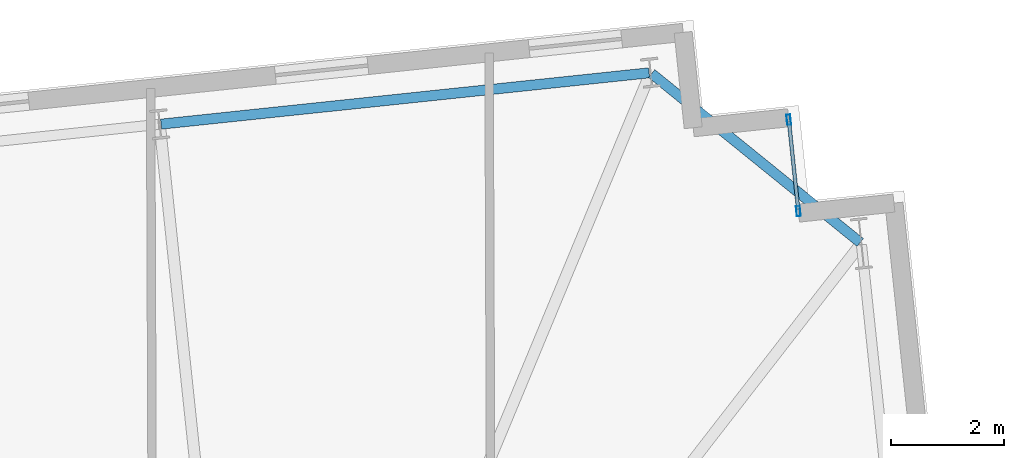
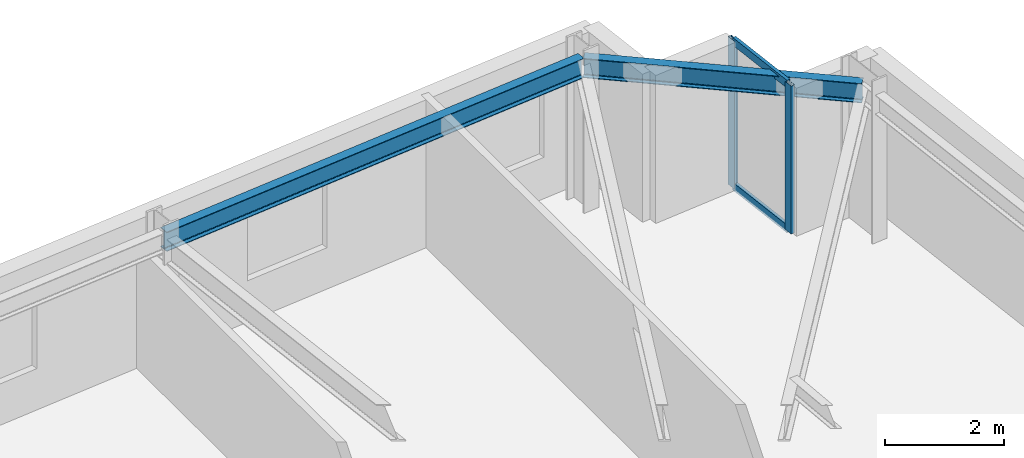
# One storey, part 10 of 17: 4 members, 2 beams, 1 element without a shape of its own.
"""IFC4 building model written with IfcOpenShell, lengths in metres."""

from ifc_helpers import new_model, si_unit, direction, frame, origin, origin_2d, place, context, subcontext, project, spatial, hollow_rectangle, i_section, extrude, material, layer, layer_set, material_profile, profile_set, type_object, element, aggregate, save


model = new_model("IFC4")

# Units and contexts
model_context = context("Model", 3, precision=1e-05, world=origin(), true_north=direction((0.0, 1.0)))
body_context = subcontext(model_context, "Body", "Model", "MODEL_VIEW")
ifc_project = project(units=[si_unit("LENGTHUNIT", "METRE"), si_unit("AREAUNIT", "SQUARE_METRE"), si_unit("VOLUMEUNIT", "CUBIC_METRE"), si_unit("PLANEANGLEUNIT", "RADIAN"), si_unit("MASSUNIT", "GRAM", prefix="KILO")], contexts=[model_context])

# Site, building, storey
site_placement = place(None, origin())
site = spatial("IfcSite", under=ifc_project, at=site_placement, CompositionType="ELEMENT")
building_placement = place(site_placement, origin())
building = spatial("IfcBuilding", under=site, at=building_placement, Name="Qobustan Lattice House", CompositionType="ELEMENT")
storey_placement = place(building_placement, frame((0.0, 0.0, 105.800048828125)))
storey = spatial("IfcBuildingStorey", under=building, at=storey_placement, Name="L29", CompositionType="ELEMENT", Elevation=105.800048828125)

# Beams
ifc_material_1 = material(Name="Steel S355", Category="steel")
ifc_material_profile_1 = material_profile(ifc_material_1, i_section(OverallWidth=0.179931640625, OverallDepth=0.39990234375, WebThickness=0.008544921875, FlangeThickness=0.013427734375, FilletRadius=0.02099609375, at=origin_2d()), Name="IPE400")
ifc_profile_set_1 = profile_set([ifc_material_profile_1], Name="Steel S355")
beam_type = type_object("IfcBeamType", Name="BM-SPD-IPE400", PredefinedType="SPANDREL", material=ifc_profile_set_1)
beam_1_placement = place(storey_placement, frame((29.536865234375, 19.484619140625, 2.844970703125), z_axis=(-0.777140911545, 0.629326627121, 0.0), x_axis=(-0.629326627121, -0.777140911545, 0.0)))
element("IfcBeam", 1, at=beam_1_placement, inside=storey, type_object=beam_type, Name="L29 perimeter spandrel E4-N1", PredefinedType="SPANDREL", context=body_context, shape_type="SweptSolid", body=[
    extrude(i_section(OverallWidth=0.179931640625, OverallDepth=0.39990234375, WebThickness=0.008544921875, FlangeThickness=0.013427734375, FilletRadius=0.02099609375, at=origin_2d()), origin(), (0.0, 0.0, 1.0), 4.758544921875),
])
beam_2_placement = place(storey_placement, frame((25.794677734375, 22.492431640625, 2.844970703125), z_axis=(-0.994521586424, -0.104531402636, 0.0), x_axis=(0.104531402636, -0.994521586424, 0.0)))
element("IfcBeam", 2, at=beam_2_placement, inside=storey, type_object=beam_type, Name="L29 perimeter spandrel N1-N2", PredefinedType="SPANDREL", context=body_context, shape_type="SweptSolid", body=[
    extrude(i_section(OverallWidth=0.179931640625, OverallDepth=0.39990234375, WebThickness=0.008544921875, FlangeThickness=0.013427734375, FilletRadius=0.02099609375, at=origin_2d()), origin(), (0.0, 0.0, 1.0), 8.699951171875),
])

# Curtain wall, members
ifc_material_2 = material(Name="Anodised aluminium and low-E glazing", Category="aluminium")
ifc_layer = layer(ifc_material_2, 0.219970703125)
ifc_layer_set = layer_set([ifc_layer], Name="Anodised aluminium and low-E glazing")
curtain_wall_type = type_object("IfcCurtainWallType", Name="CW-FAC-01", PredefinedType="USERDEFINED", material=ifc_layer_set)
curtain_wall_placement = place(storey_placement, origin())
curtain_wall = element("IfcCurtainWall", 3, at=curtain_wall_placement, inside=storey, type_object=curtain_wall_type, Name="L29 serrated corner faceted glazing 13", ObjectType="CURTAIN WALL", PredefinedType="USERDEFINED")
ifc_material_3 = material(Name="Anodised aluminium EN AW-6063 T6", Category="aluminium")
ifc_material_profile_2 = material_profile(ifc_material_3, hollow_rectangle(XDim=0.070068359375, YDim=0.179931640625, WallThickness=0.00439453125, at=origin_2d()), Name="CWM-180x70")
ifc_profile_set_2 = profile_set([ifc_material_profile_2], Name="Anodised aluminium EN AW-6063 T6")
member_type_1 = type_object("IfcMemberType", Name="CWM-STD-180", PredefinedType="MULLION", material=ifc_profile_set_2)
member_1_placement = place(storey_placement, frame((28.27001953125, 21.66162109375, 0.0), z_axis=(0.0, 0.0, 1.0), x_axis=(0.994521878892, 0.104528620025, 0.0)))
member_1 = element("IfcMember", 4, at=member_1_placement, type_object=member_type_1, Name="CW-F1 mullion 1", PredefinedType="MULLION", context=body_context, shape_type="SweptSolid", body=[
    extrude(hollow_rectangle(XDim=0.070068359375, YDim=0.179931640625, WallThickness=0.00439453125, at=origin_2d()), origin(), (0.0, 0.0, 1.0), 3.044921875),
])
member_2_placement = place(storey_placement, frame((28.4404296875, 20.04052734375, 0.0), z_axis=(0.0, 0.0, 1.0), x_axis=(0.994521878892, 0.104528620025, 0.0)))
member_2 = element("IfcMember", 5, at=member_2_placement, type_object=member_type_1, Name="CW-F1 mullion 2", PredefinedType="MULLION", context=body_context, shape_type="SweptSolid", body=[
    extrude(hollow_rectangle(XDim=0.070068359375, YDim=0.179931640625, WallThickness=0.00439453125, at=origin_2d()), origin(), (0.0, 0.0, 1.0), 3.044921875),
])
ifc_material_4 = material(Name="Anodised aluminium EN AW-6063 T6", Category="aluminium")
ifc_material_profile_3 = material_profile(ifc_material_4, hollow_rectangle(XDim=0.06494140625, YDim=0.159912109375, WallThickness=0.00390625, at=origin_2d()), Name="CWT-160x65")
ifc_profile_set_3 = profile_set([ifc_material_profile_3], Name="Anodised aluminium EN AW-6063 T6")
member_type_2 = type_object("IfcMemberType", Name="CWT-HOR-160", PredefinedType="USERDEFINED", material=ifc_profile_set_3)
member_3_placement = place(storey_placement, frame((28.273681640625, 21.626708984375, 0.032470703125), z_axis=(0.104538150424, -0.994520877159, 0.0), x_axis=(0.994520877159, 0.104538150424, 0.0)))
member_3 = element("IfcMember", 6, at=member_3_placement, type_object=member_type_2, Name="CW-F1 transom 1.1", ObjectType="TRANSOM", PredefinedType="USERDEFINED", context=body_context, shape_type="SweptSolid", body=[
    extrude(hollow_rectangle(XDim=0.06494140625, YDim=0.159912109375, WallThickness=0.00390625, at=origin_2d()), origin(), (0.0, 0.0, 1.0), 1.56005859375),
])
member_4_placement = place(storey_placement, frame((28.273681640625, 21.626708984375, 3.012451171875), z_axis=(0.104538150424, -0.994520877159, 0.0), x_axis=(0.994520877159, 0.104538150424, 0.0)))
member_4 = element("IfcMember", 7, at=member_4_placement, type_object=member_type_2, Name="CW-F1 transom 1.2", ObjectType="TRANSOM", PredefinedType="USERDEFINED", context=body_context, shape_type="SweptSolid", body=[
    extrude(hollow_rectangle(XDim=0.06494140625, YDim=0.159912109375, WallThickness=0.00390625, at=origin_2d()), origin(), (0.0, 0.0, 1.0), 1.56005859375),
])
aggregate(curtain_wall, [member_1, member_2, member_3, member_4])

save(model, "model.ifc")
